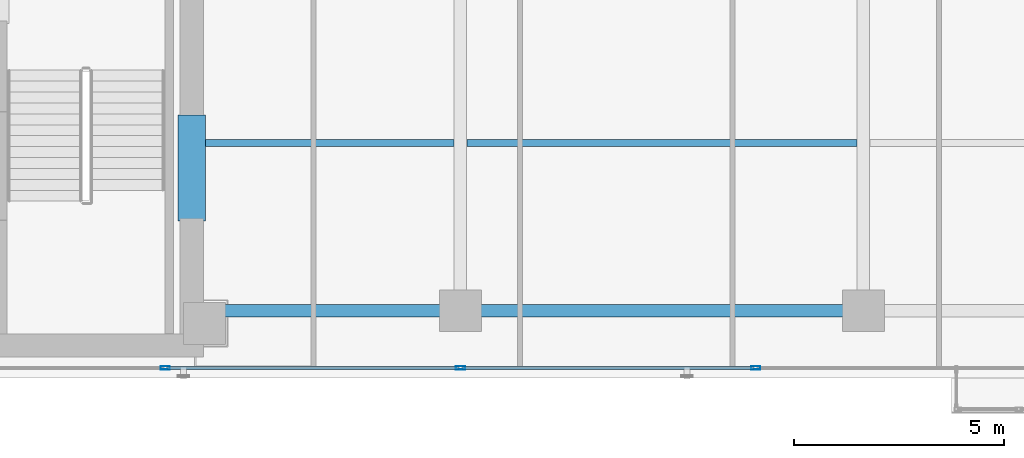
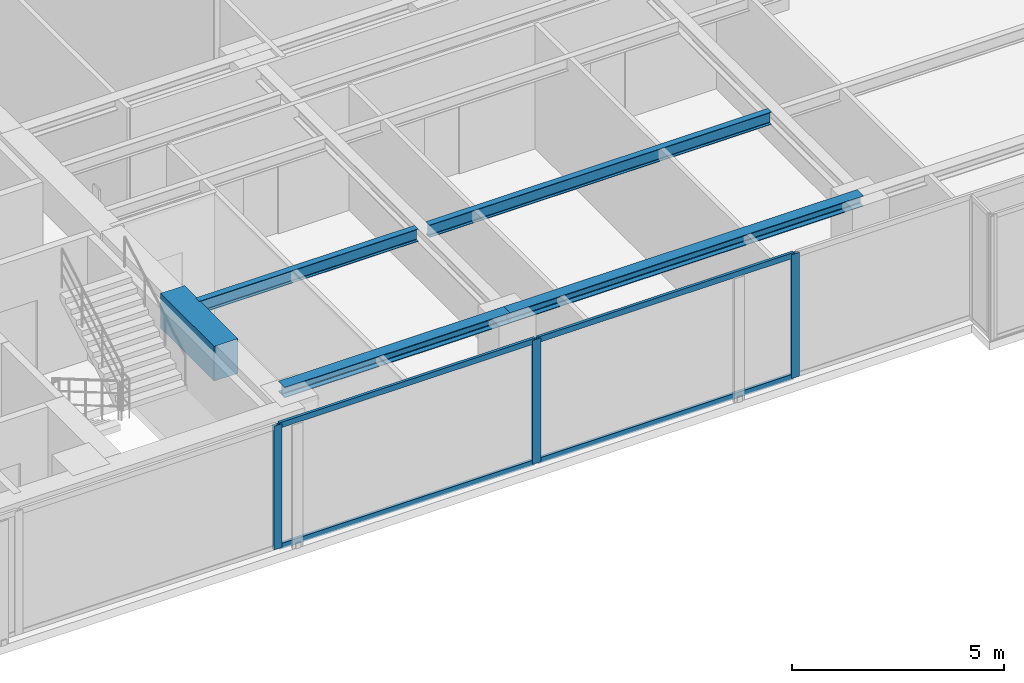
# One storey, part 4 of 23: 7 members, 5 beams, 1 element without a shape of its own.
"""IFC4 building model written with IfcOpenShell, lengths in metres."""

from ifc_helpers import new_model, si_unit, direction, frame, origin, origin_with_axes, origin_2d, place, context, subcontext, project, spatial, rectangle, hollow_rectangle, i_section, extrude, source, transform, mapped, material, layer, layer_set, material_profile, profile_set, type_object, element, aggregate, save


model = new_model("IFC4")

# Units and contexts
model_context = context("Model", 3, precision=1e-05, world=origin(), true_north=direction((0.0, 1.0)))
body_context = subcontext(model_context, "Body", "Model", "MODEL_VIEW")
ifc_project = project(units=[si_unit("LENGTHUNIT", "METRE"), si_unit("AREAUNIT", "SQUARE_METRE"), si_unit("VOLUMEUNIT", "CUBIC_METRE"), si_unit("PLANEANGLEUNIT", "RADIAN"), si_unit("MASSUNIT", "GRAM", prefix="KILO")], contexts=[model_context])

# Site, building, storey
site_placement = place(None, origin())
site = spatial("IfcSite", under=ifc_project, at=site_placement, CompositionType="ELEMENT")
building_placement = place(site_placement, origin())
building = spatial("IfcBuilding", under=site, at=building_placement, Name="Kolvaren Waterfront Exchange", CompositionType="ELEMENT")
storey_placement = place(building_placement, frame((0.0, 0.0, 212.10009765625)))
storey = spatial("IfcBuildingStorey", under=building, at=storey_placement, Name="L54", CompositionType="ELEMENT", Elevation=212.10009765625)

# Beams
ifc_material_1 = material(Name="Steel S355", Category="steel")
ifc_material_profile_1 = material_profile(ifc_material_1, i_section(OverallWidth=0.300048828125, OverallDepth=0.300048828125, WebThickness=0.010986328125, FlangeThickness=0.01904296875, FilletRadius=0.027099609375, at=origin_2d()), Name="HEB300")
ifc_profile_set_1 = profile_set([ifc_material_profile_1], Name="Steel S355")
beam_type_1 = type_object("IfcBeamType", Name="STR-BM-HEB300", PredefinedType="SPANDREL", material=ifc_profile_set_1)
beam_1_placement = place(storey_placement, frame((21.074951171875, 5.199951171875, 3.409912109375), z_axis=(1.0, 0.0, 0.0), x_axis=(0.0, 1.0, 0.0)))
element("IfcBeam", 1, at=beam_1_placement, inside=storey, type_object=beam_type_1, Name="L54 east-arm spandrel S1", PredefinedType="SPANDREL", context=body_context, shape_type="SweptSolid", body=[
    extrude(i_section(OverallWidth=0.300048828125, OverallDepth=0.300048828125, WebThickness=0.010986328125, FlangeThickness=0.01904296875, FilletRadius=0.027099609375, at=origin_2d()), origin(), (0.0, 0.0, 1.0), 6.125),
])
beam_2_placement = place(storey_placement, frame((27.199951171875, 5.199951171875, 3.409912109375), z_axis=(1.0, 0.0, 0.0), x_axis=(0.0, 1.0, 0.0)))
element("IfcBeam", 2, at=beam_2_placement, inside=storey, type_object=beam_type_1, Name="L54 east-arm spandrel S2", PredefinedType="SPANDREL", context=body_context, shape_type="SweptSolid", body=[
    extrude(i_section(OverallWidth=0.300048828125, OverallDepth=0.300048828125, WebThickness=0.010986328125, FlangeThickness=0.01904296875, FilletRadius=0.027099609375, at=origin_2d()), origin(), (0.0, 0.0, 1.0), 9.60009765625),
])
ifc_material_profile_2 = material_profile(ifc_material_1, i_section(OverallWidth=0.169921875, OverallDepth=0.360107421875, WebThickness=0.008056640625, FlangeThickness=0.0126953125, FilletRadius=0.01806640625, at=origin_2d()), Name="IPE360")
ifc_profile_set_2 = profile_set([ifc_material_profile_2], Name="Steel S355")
beam_type_2 = type_object("IfcBeamType", Name="STR-BM-IPE360", PredefinedType="JOIST", material=ifc_profile_set_2)
beam_3_placement = place(storey_placement, frame((21.10009765625, 9.199951171875, 3.3798828125), z_axis=(1.0, 0.0, 0.0), x_axis=(0.0, 1.0, 0.0)))
element("IfcBeam", 3, at=beam_3_placement, inside=storey, type_object=beam_type_2, Name="L54 east-arm composite joist 1B", PredefinedType="JOIST", context=body_context, shape_type="SweptSolid", body=[
    extrude(i_section(OverallWidth=0.169921875, OverallDepth=0.360107421875, WebThickness=0.008056640625, FlangeThickness=0.0126953125, FilletRadius=0.01806640625, at=origin_2d()), origin(), (0.0, 0.0, 1.0), 5.947998046875),
])
beam_4_placement = place(storey_placement, frame((27.35205078125, 9.199951171875, 3.3798828125), z_axis=(1.0, 0.0, 0.0), x_axis=(0.0, 1.0, 0.0)))
element("IfcBeam", 4, at=beam_4_placement, inside=storey, type_object=beam_type_2, Name="L54 east-arm composite joist 2B", PredefinedType="JOIST", context=body_context, shape_type="SweptSolid", body=[
    extrude(i_section(OverallWidth=0.169921875, OverallDepth=0.360107421875, WebThickness=0.008056640625, FlangeThickness=0.0126953125, FilletRadius=0.01806640625, at=origin_2d()), origin(), (0.0, 0.0, 1.0), 9.2958984375),
])
ifc_material_2 = material(Name="Concrete C60/75", Category="concrete")
ifc_material_profile_3 = material_profile(ifc_material_2, rectangle(XDim=0.64990234375, YDim=1.0, at=origin_2d()), Name="RC-CB-1000x650")
ifc_profile_set_3 = profile_set([ifc_material_profile_3], Name="Concrete C60/75")
beam_type_3 = type_object("IfcBeamType", Name="STR-CB-1000", PredefinedType="SPANDREL", material=ifc_profile_set_3)
beam_5_placement = place(storey_placement, frame((20.800048828125, 7.340087890625, 3.059814453125), z_axis=(0.0, 1.0, 0.0), x_axis=(-1.0, 0.0, 0.0)))
element("IfcBeam", 5, at=beam_5_placement, inside=storey, type_object=beam_type_3, Name="L54 core coupling beam 1", PredefinedType="SPANDREL", context=body_context, shape_type="SweptSolid", body=[
    extrude(rectangle(XDim=0.64990234375, YDim=1.0, at=origin_2d()), origin(), (0.0, 0.0, 1.0), 2.52001953125),
])

# Curtain wall, members
ifc_material_3 = material(Name="Anodised bronze aluminium 6063-T6", Category="aluminium")
ifc_layer = layer(ifc_material_3, 0.219970703125, Name="Anodised bronze aluminium 6063-T6")
ifc_layer_set = layer_set([ifc_layer], Name="Anodised bronze aluminium 6063-T6")
curtain_wall_type = type_object("IfcCurtainWallType", Name="ARC-CW-SYS1", PredefinedType="USERDEFINED", material=ifc_layer_set)
curtain_wall_placement = place(storey_placement, origin())
curtain_wall = element("IfcCurtainWall", 6, at=curtain_wall_placement, inside=storey, type_object=curtain_wall_type, Name="L54 stick curtain wall CW1 (CW-L54-S)", ObjectType="STICK CURTAIN WALL", PredefinedType="USERDEFINED")
ifc_material_4 = material(Name="Anodised aluminium 6063-T6", Category="aluminium")
ifc_material_profile_4 = material_profile(ifc_material_4, hollow_rectangle(XDim=0.080078125, YDim=0.219970703125, WallThickness=0.0048828125, at=origin_2d()), Name="ALU-MUL-220x80x5")
ifc_profile_set_4 = profile_set([ifc_material_profile_4], Name="Anodised aluminium 6063-T6")
member_type_1 = type_object("IfcMemberType", Name="ARC-CWM-220", PredefinedType="MULLION", material=ifc_profile_set_4)
shared_shape_1 = source(origin_with_axes(), body_context, "Body", "SweptSolid", [
    extrude(hollow_rectangle(XDim=0.080078125, YDim=0.219970703125, WallThickness=0.0048828125, at=origin_2d()), origin(), (0.0, 0.0, 1.0), 3.559814453125),
])
member_1_placement = place(storey_placement, frame((20.166748046875, 3.840087890625, 0.0), z_axis=(0.0, 0.0, 1.0), x_axis=(0.0, 1.0, 0.0)))
member_1 = element("IfcMember", 7, at=member_1_placement, type_object=member_type_1, Name="CW1 mullion 3", PredefinedType="MULLION", context=body_context, shape_type="MappedRepresentation", body=[
    mapped(shared_shape_1, transform((0.0, 0.0, 0.0), x_axis=(1.0, 0.0, 0.0), y_axis=(0.0, 1.0, 0.0), z_axis=(0.0, 0.0, 1.0), scale=1.0)),
])
member_2_placement = place(storey_placement, frame((27.199951171875, 3.840087890625, 0.0), z_axis=(0.0, 0.0, 1.0), x_axis=(0.0, 1.0, 0.0)))
member_2 = element("IfcMember", 8, at=member_2_placement, type_object=member_type_1, Name="CW1 mullion 4", PredefinedType="MULLION", context=body_context, shape_type="MappedRepresentation", body=[
    mapped(shared_shape_1, transform((0.0, 0.0, 0.0), x_axis=(1.0, 0.0, 0.0), y_axis=(0.0, 1.0, 0.0), z_axis=(0.0, 0.0, 1.0), scale=1.0)),
])
member_3_placement = place(storey_placement, frame((34.2333984375, 3.840087890625, 0.0), z_axis=(0.0, 0.0, 1.0), x_axis=(0.0, 1.0, 0.0)))
member_3 = element("IfcMember", 9, at=member_3_placement, type_object=member_type_1, Name="CW1 mullion 5", PredefinedType="MULLION", context=body_context, shape_type="MappedRepresentation", body=[
    mapped(shared_shape_1, transform((0.0, 0.0, 0.0), x_axis=(1.0, 0.0, 0.0), y_axis=(0.0, 1.0, 0.0), z_axis=(0.0, 0.0, 1.0), scale=1.0)),
])
ifc_material_profile_5 = material_profile(ifc_material_4, hollow_rectangle(XDim=0.074951171875, YDim=0.159912109375, WallThickness=0.00439453125, at=origin_2d()), Name="ALU-TRN-160x75x4.5")
ifc_profile_set_5 = profile_set([ifc_material_profile_5], Name="Anodised aluminium 6063-T6")
member_type_2 = type_object("IfcMemberType", Name="ARC-CWT-160", PredefinedType="USERDEFINED", material=ifc_profile_set_5)
shared_shape_2 = source(origin_with_axes(), body_context, "Body", "SweptSolid", [
    extrude(hollow_rectangle(XDim=0.074951171875, YDim=0.159912109375, WallThickness=0.00439453125, at=origin_2d()), origin(), (0.0, 0.0, 1.0), 6.953369140625),
])
member_4_placement = place(storey_placement, frame((27.239990234375, 3.840087890625, 0.037353515625), z_axis=(1.0, 0.0, 0.0), x_axis=(0.0, 1.0, 0.0)))
member_4 = element("IfcMember", 10, at=member_4_placement, type_object=member_type_2, Name="CW1 transom 4.1", ObjectType="TRANSOM", PredefinedType="USERDEFINED", context=body_context, shape_type="MappedRepresentation", body=[
    mapped(shared_shape_2, transform((0.0, 0.0, 0.0), x_axis=(1.0, 0.0, 0.0), y_axis=(0.0, 1.0, 0.0), z_axis=(0.0, 0.0, 1.0), scale=1.0)),
])
member_5_placement = place(storey_placement, frame((27.239990234375, 3.840087890625, 3.5224609375), z_axis=(1.0, 0.0, 0.0), x_axis=(0.0, 1.0, 0.0)))
member_5 = element("IfcMember", 11, at=member_5_placement, type_object=member_type_2, Name="CW1 transom 4.2", ObjectType="TRANSOM", PredefinedType="USERDEFINED", context=body_context, shape_type="MappedRepresentation", body=[
    mapped(shared_shape_2, transform((0.0, 0.0, 0.0), x_axis=(1.0, 0.0, 0.0), y_axis=(0.0, 1.0, 0.0), z_axis=(0.0, 0.0, 1.0), scale=1.0)),
])
shared_shape_3 = source(origin_with_axes(), body_context, "Body", "SweptSolid", [
    extrude(hollow_rectangle(XDim=0.074951171875, YDim=0.159912109375, WallThickness=0.00439453125, at=origin_2d()), origin(), (0.0, 0.0, 1.0), 6.953125),
])
member_6_placement = place(storey_placement, frame((20.206787109375, 3.840087890625, 0.037353515625), z_axis=(1.0, 0.0, 0.0), x_axis=(0.0, 1.0, 0.0)))
member_6 = element("IfcMember", 12, at=member_6_placement, type_object=member_type_2, Name="CW1 transom 3.1", ObjectType="TRANSOM", PredefinedType="USERDEFINED", context=body_context, shape_type="MappedRepresentation", body=[
    mapped(shared_shape_3, transform((0.0, 0.0, 0.0), x_axis=(1.0, 0.0, 0.0), y_axis=(0.0, 1.0, 0.0), z_axis=(0.0, 0.0, 1.0), scale=1.0)),
])
member_7_placement = place(storey_placement, frame((20.206787109375, 3.840087890625, 3.5224609375), z_axis=(1.0, 0.0, 0.0), x_axis=(0.0, 1.0, 0.0)))
member_7 = element("IfcMember", 13, at=member_7_placement, type_object=member_type_2, Name="CW1 transom 3.2", ObjectType="TRANSOM", PredefinedType="USERDEFINED", context=body_context, shape_type="MappedRepresentation", body=[
    mapped(shared_shape_3, transform((0.0, 0.0, 0.0), x_axis=(1.0, 0.0, 0.0), y_axis=(0.0, 1.0, 0.0), z_axis=(0.0, 0.0, 1.0), scale=1.0)),
])
aggregate(curtain_wall, [member_1, member_2, member_3, member_6, member_7, member_4, member_5])

save(model, "model.ifc")
